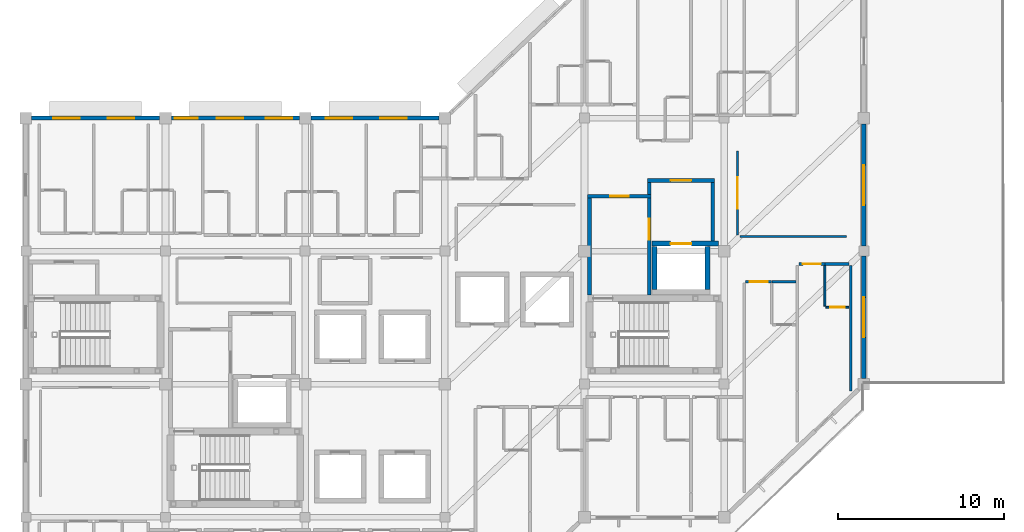
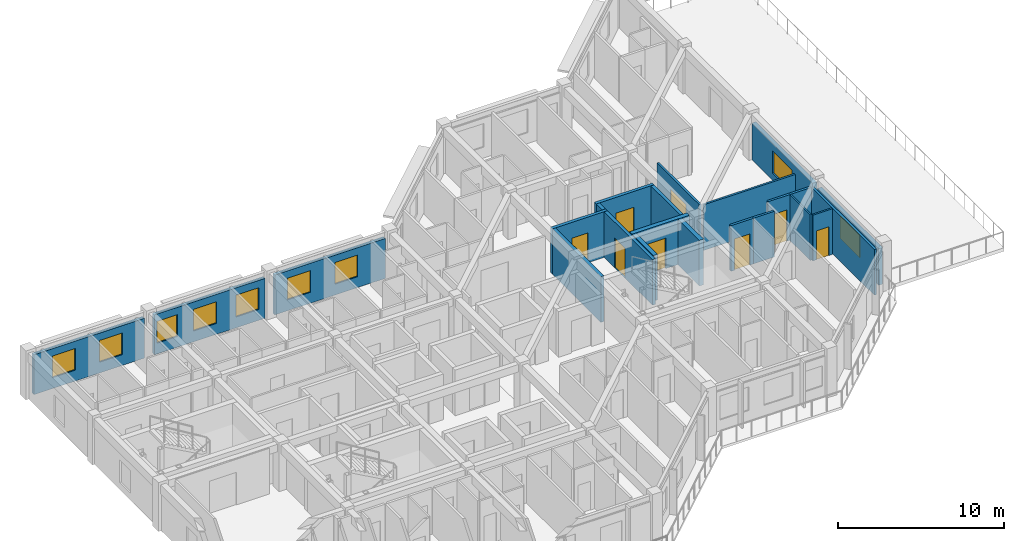
# One storey, part 10 of 15: 23 walls, 9 windows, 8 doors, 17 openings.
"""IFC4 building model written with IfcOpenShell, lengths in metres."""

from ifc_helpers import new_model, si_unit, direction, frame, frame_2d, origin, place, context, subcontext, project, spatial, rectangle, extrude, material, layer, layer_set, type_object, element, fill, save


model = new_model("IFC4")

# Units and contexts
model_context = context("Model", 3, precision=1e-05, world=origin(), true_north=direction((0.0, 1.0)))
body_context = subcontext(model_context, "Body", "Model", "MODEL_VIEW")
ifc_project = project(units=[si_unit("LENGTHUNIT", "METRE"), si_unit("AREAUNIT", "SQUARE_METRE"), si_unit("VOLUMEUNIT", "CUBIC_METRE"), si_unit("PLANEANGLEUNIT", "RADIAN"), si_unit("MASSUNIT", "GRAM", prefix="KILO")], contexts=[model_context])

# Site, building, storey
site_placement = place(None, origin())
site = spatial("IfcSite", under=ifc_project, at=site_placement, CompositionType="ELEMENT")
building_placement = place(site_placement, origin())
building = spatial("IfcBuilding", under=site, at=building_placement, Name="Naruveol Harbour Congress Hotel", CompositionType="ELEMENT")
storey_placement = place(building_placement, frame((0.0, 0.0, 36.0)))
storey = spatial("IfcBuildingStorey", under=building, at=storey_placement, Name="L08", CompositionType="ELEMENT", Elevation=36.0)

# Wall, opening, door
ifc_material_1 = material(Name="Acoustic Double Stud Gypsum", Category="gypsum")
ifc_layer_1 = layer(ifc_material_1, 0.139892578125)
ifc_layer_set_1 = layer_set([ifc_layer_1], Name="Acoustic Double Stud Gypsum")
wall_type_1 = type_object("IfcWallType", Name="ACOUSTIC MEETING PARTITION WALL 140", PredefinedType="PARTITIONING", material=ifc_layer_set_1)
wall_1_placement = place(storey_placement, frame((160.39990234375, 24.9599609375, 0.0), z_axis=(0.0, 0.0, 1.0), x_axis=(0.0, 1.0, 0.0)))
wall_1 = element("IfcWall", 1, at=wall_1_placement, inside=storey, type_object=wall_type_1, Name="Garden Terrace Salon west entry wall PW-140", PredefinedType="PARTITIONING", context=body_context, shape_type="SweptSolid", body=[
    extrude(rectangle(XDim=5.080078125, YDim=0.139892578125, at=frame_2d((2.5400390625, 0.0))), origin(), (0.0, 0.0, 1.0), 3.364990234375),
])
opening_1_placement = place(wall_1_placement, frame((1.590087890625, 0.0, 0.0)))
opening_1 = element("IfcOpeningElement", 2, at=opening_1_placement, cuts=wall_1, Name="Opening ID-LG-123", PredefinedType="OPENING", context=body_context, shape_type="SweptSolid", body=[
    extrude(rectangle(XDim=1.89990234375, YDim=2.39990234375, at=frame_2d((0.949951171875, 1.199951171875))), frame((0.0, 0.079833984375, 0.0), z_axis=(0.0, -1.0, 0.0), x_axis=(1.0, 0.0, 0.0)), (0.0, 0.0, 1.0), 0.159912109375),
])
ifc_material_2 = material(Name="Timber & Steel Acoustic Leaf", Category="steel")
door_type_1 = type_object("IfcDoorType", Name="RESTAURANT AND LOUNGE GLAZED DOOR 1900X2400", OperationType="DOUBLE_DOOR_SINGLE_SWING", PredefinedType="DOOR", material=ifc_material_2)
door_1_placement = place(opening_1_placement, origin())
door_1 = element("IfcDoor", 3, at=door_1_placement, inside=storey, type_object=door_type_1, Name="Garden Terrace Salon Entrance Door", OperationType="DOUBLE_DOOR_SINGLE_SWING", OverallHeight=2.39990234375, OverallWidth=1.89990234375, PredefinedType="DOOR", context=body_context, shape_type="SweptSolid", body=[
    extrude(rectangle(XDim=1.89990234375, YDim=2.39990234375, at=frame_2d((0.949951171875, 1.199951171875))), frame((0.0, 0.02490234375, 0.0), z_axis=(0.0, -1.0, 0.0), x_axis=(1.0, 0.0, 0.0)), (0.0, 0.0, 1.0), 0.050048828125),
])
fill(opening_1, door_1)

# Wall
wall_2_placement = place(storey_placement, frame((160.5400390625, 24.8798828125, 0.0), z_axis=(0.0, 0.0, 1.0), x_axis=(1.0, 0.0, 0.0)))
element("IfcWall", 4, at=wall_2_placement, inside=storey, type_object=wall_type_1, Name="Garden Terrace Salon south partition PW-140", PredefinedType="PARTITIONING", context=body_context, shape_type="SweptSolid", body=[
    extrude(rectangle(XDim=6.409912109375, YDim=0.139892578125, at=frame_2d((3.205078125, 0.0))), origin(), (0.0, 0.0, 1.0), 3.364990234375),
])

# Wall, opening, window
ifc_material_3 = material(Name="Precast concrete C40/50", Category="concrete")
ifc_layer_2 = layer(ifc_material_3, 0.280029296875)
ifc_layer_set_2 = layer_set([ifc_layer_2], Name="Precast concrete C40/50")
wall_type_2 = type_object("IfcWallType", Name="ARCHITECTURAL PRECAST FACADE WALL 280", PredefinedType="SOLIDWALL", material=ifc_layer_set_2)
wall_3_placement = place(storey_placement, frame((168.0, 31.64990234375, 0.0), z_axis=(0.0, 0.0, 1.0), x_axis=(0.0, -1.0, 0.0)))
wall_3 = element("IfcWall", 5, at=wall_3_placement, inside=storey, type_object=wall_type_2, Name="Hotel east gable wall L08 EW-280", PredefinedType="SOLIDWALL", context=body_context, shape_type="SweptSolid", body=[
    extrude(rectangle(XDim=7.349853515625, YDim=0.280029296875, at=frame_2d((3.6748046875, 0.0))), origin(), (0.0, 0.0, 1.0), 2.699951171875),
])
opening_2_placement = place(wall_3_placement, frame((2.47509765625, 0.0, 0.5)))
opening_2 = element("IfcOpeningElement", 6, at=opening_2_placement, cuts=wall_3, Name="Opening W-07", PredefinedType="OPENING", context=body_context, shape_type="SweptSolid", body=[
    extrude(rectangle(XDim=2.39990234375, YDim=1.64990234375, at=frame_2d((1.199951171875, 0.824951171875))), frame((0.0, 0.14990234375, 0.0), z_axis=(0.0, -1.0, 0.0), x_axis=(1.0, 0.0, 0.0)), (0.0, 0.0, 1.0), 0.300048828125),
])
ifc_material_4 = material(Name="Low-E Triple Glazing in Thermal Aluminium", Category="aluminium")
window_type_1 = type_object("IfcWindowType", Name="CORNER SUITE WINDOW 2400X1650", PartitioningType="DOUBLE_PANEL_VERTICAL", PredefinedType="WINDOW", material=ifc_material_4)
window_1_placement = place(opening_2_placement, origin())
window_1 = element("IfcWindow", 7, at=window_1_placement, inside=storey, type_object=window_type_1, Name="Window W-07 #441", OverallHeight=1.64990234375, OverallWidth=2.39990234375, PartitioningType="DOUBLE_PANEL_VERTICAL", PredefinedType="WINDOW", context=body_context, shape_type="SweptSolid", body=[
    extrude(rectangle(XDim=2.39990234375, YDim=1.64990234375, at=frame_2d((1.199951171875, 0.824951171875))), frame((0.0, 0.030029296875, 0.0), z_axis=(0.0, -1.0, 0.0), x_axis=(1.0, 0.0, 0.0)), (0.0, 0.0, 1.0), 0.06005859375),
])
fill(opening_2, window_1)

wall_4_placement = place(storey_placement, frame((168.0, 23.699951171875, 0.0), z_axis=(0.0, 0.0, 1.0), x_axis=(0.0, -1.0, 0.0)))
wall_4 = element("IfcWall", 8, at=wall_4_placement, inside=storey, type_object=wall_type_2, Name="Hotel east gable wall L08 EW-280", PredefinedType="SOLIDWALL", context=body_context, shape_type="SweptSolid", body=[
    extrude(rectangle(XDim=7.349853515625, YDim=0.280029296875, at=frame_2d((3.6748046875, 0.0))), origin(), (0.0, 0.0, 1.0), 2.699951171875),
])
opening_3_placement = place(wall_4_placement, frame((2.47509765625, 0.0, 0.5)))
opening_3 = element("IfcOpeningElement", 9, at=opening_3_placement, cuts=wall_4, Name="Opening W-07", PredefinedType="OPENING", context=body_context, shape_type="SweptSolid", body=[
    extrude(rectangle(XDim=2.39990234375, YDim=1.64990234375, at=frame_2d((1.199951171875, 0.824951171875))), frame((0.0, 0.14990234375, 0.0), z_axis=(0.0, -1.0, 0.0), x_axis=(1.0, 0.0, 0.0)), (0.0, 0.0, 1.0), 0.300048828125),
])
window_2_placement = place(opening_3_placement, origin())
window_2 = element("IfcWindow", 10, at=window_2_placement, inside=storey, type_object=window_type_1, Name="Window W-07 #442", OverallHeight=1.64990234375, OverallWidth=2.39990234375, PartitioningType="DOUBLE_PANEL_VERTICAL", PredefinedType="WINDOW", context=body_context, shape_type="SweptSolid", body=[
    extrude(rectangle(XDim=2.39990234375, YDim=1.64990234375, at=frame_2d((1.199951171875, 0.824951171875))), frame((0.0, 0.030029296875, 0.0), z_axis=(0.0, -1.0, 0.0), x_axis=(1.0, 0.0, 0.0)), (0.0, 0.0, 1.0), 0.06005859375),
])
fill(opening_3, window_2)

# Wall
ifc_material_5 = material(Name="Moisture-Resistant Gypsum Partition", Category="gypsum")
ifc_layer_3 = layer(ifc_material_5, 0.114990234375)
ifc_layer_set_3 = layer_set([ifc_layer_3], Name="Moisture-Resistant Gypsum Partition")
wall_type_3 = type_object("IfcWallType", Name="BATHROOM MOISTURE PARTITION WALL 115", PredefinedType="PARTITIONING", material=ifc_layer_set_3)
wall_5_placement = place(storey_placement, frame((165.64990234375, 20.68994140625, 0.0), z_axis=(0.0, 0.0, 1.0), x_axis=(0.0, 1.0, 0.0)))
element("IfcWall", 11, at=wall_5_placement, inside=storey, type_object=wall_type_3, Name="Bathroom west wall 0935 PW-115", PredefinedType="PARTITIONING", context=body_context, shape_type="SweptSolid", body=[
    extrude(rectangle(XDim=2.449951171875, YDim=0.114990234375, at=frame_2d((1.22509765625, 0.0))), origin(), (0.0, 0.0, 1.0), 3.364990234375),
])

# Wall, opening, door
wall_6_placement = place(storey_placement, frame((165.7099609375, 20.6298828125, 0.0), z_axis=(0.0, 0.0, 1.0), x_axis=(1.0, 0.0, 0.0)))
wall_6 = element("IfcWall", 12, at=wall_6_placement, inside=storey, type_object=wall_type_3, Name="Bathroom south wall 0935 PW-115", PredefinedType="PARTITIONING", context=body_context, shape_type="SweptSolid", body=[
    extrude(rectangle(XDim=1.39013671875, YDim=0.114990234375, at=frame_2d((0.695068359375, 0.0))), origin(), (0.0, 0.0, 1.0), 3.364990234375),
])
opening_4_placement = place(wall_6_placement, frame((0.264892578125, 0.0, 0.0)))
opening_4 = element("IfcOpeningElement", 13, at=opening_4_placement, cuts=wall_6, Name="Opening BD-RM0935", PredefinedType="OPENING", context=body_context, shape_type="SweptSolid", body=[
    extrude(rectangle(XDim=0.860107421875, YDim=2.1201171875, at=frame_2d((0.43017578125, 1.06005859375))), frame((0.0, 0.0673828125, 0.0), z_axis=(0.0, -1.0, 0.0), x_axis=(1.0, 0.0, 0.0)), (0.0, 0.0, 1.0), 0.135009765625),
])
ifc_material_6 = material(Name="Timber & Steel Acoustic Leaf", Category="steel")
door_type_2 = type_object("IfcDoorType", Name="GUEST BATHROOM DOOR 860X2120", OperationType="NOTDEFINED", PredefinedType="DOOR", material=ifc_material_6)
door_2_placement = place(opening_4_placement, origin())
door_2 = element("IfcDoor", 14, at=door_2_placement, inside=storey, type_object=door_type_2, Name="Bathroom Door 0935", OperationType="SINGLE_SWING_RIGHT", OverallHeight=2.1201171875, OverallWidth=0.860107421875, PredefinedType="DOOR", context=body_context, shape_type="SweptSolid", body=[
    extrude(rectangle(XDim=0.860107421875, YDim=2.1201171875, at=frame_2d((0.43017578125, 1.06005859375))), frame((0.0, 0.02490234375, 0.0), z_axis=(0.0, -1.0, 0.0), x_axis=(1.0, 0.0, 0.0)), (0.0, 0.0, 1.0), 0.050048828125),
])
fill(opening_4, door_2)

# Wall
ifc_material_7 = material(Name="Concrete C40/50", Category="concrete")
ifc_layer_4 = layer(ifc_material_7, 0.219970703125)
ifc_layer_set_4 = layer_set([ifc_layer_4], Name="Concrete C40/50")
wall_type_4 = type_object("IfcWallType", Name="FIRE COMPARTMENT AND LOBBY WALL 220 EI120", PredefinedType="PARTITIONING", material=ifc_layer_set_4)
wall_7_placement = place(storey_placement, frame((151.5, 21.364990234375, 0.0), z_axis=(0.0, 0.0, 1.0), x_axis=(0.0, 1.0, 0.0)))
element("IfcWall", 15, at=wall_7_placement, inside=storey, type_object=wall_type_4, Name="Smoke vestibule ST2 west wall FW-220", PredefinedType="PARTITIONING", context=body_context, shape_type="SweptSolid", body=[
    extrude(rectangle(XDim=5.820068359375, YDim=0.219970703125, at=frame_2d((2.91015625, 0.0))), origin(), (0.0, 0.0, 1.0), 3.364990234375),
])

# Wall, opening, door
wall_8_placement = place(storey_placement, frame((151.389892578125, 27.300048828125, 0.0), z_axis=(0.0, 0.0, 1.0), x_axis=(1.0, 0.0, 0.0)))
wall_8 = element("IfcWall", 16, at=wall_8_placement, inside=storey, type_object=wall_type_4, Name="Smoke vestibule ST2 north wall FW-220", PredefinedType="PARTITIONING", context=body_context, shape_type="SweptSolid", body=[
    extrude(rectangle(XDim=3.820068359375, YDim=0.219970703125, at=frame_2d((1.91015625, 0.0))), origin(), (0.0, 0.0, 1.0), 3.364990234375),
])
opening_5_placement = place(wall_8_placement, frame((1.35009765625, 0.0, 0.0)))
opening_5 = element("IfcOpeningElement", 17, at=opening_5_placement, cuts=wall_8, Name="Opening FD-ST2-V-L08", PredefinedType="OPENING", context=body_context, shape_type="SweptSolid", body=[
    extrude(rectangle(XDim=1.1201171875, YDim=2.199951171875, at=frame_2d((0.56005859375, 1.10009765625))), frame((0.0, 0.119873046875, 0.0), z_axis=(0.0, -1.0, 0.0), x_axis=(1.0, 0.0, 0.0)), (0.0, 0.0, 1.0), 0.239990234375),
])
ifc_material_8 = material(Name="Timber & Steel Acoustic Leaf", Category="steel")
door_type_3 = type_object("IfcDoorType", Name="VESTIBULE SMOKE CONTROL FIRE DOOR 1120X2200", OperationType="NOTDEFINED", PredefinedType="DOOR", material=ifc_material_8)
door_3_placement = place(opening_5_placement, origin())
door_3 = element("IfcDoor", 18, at=door_3_placement, inside=storey, type_object=door_type_3, Name="Smoke Vestibule Entry Door ST2 L08", OperationType="SINGLE_SWING_LEFT", OverallHeight=2.199951171875, OverallWidth=1.1201171875, PredefinedType="DOOR", context=body_context, shape_type="SweptSolid", body=[
    extrude(rectangle(XDim=1.1201171875, YDim=2.199951171875, at=frame_2d((0.56005859375, 1.10009765625))), frame((0.0, 0.02490234375, 0.0), z_axis=(0.0, -1.0, 0.0), x_axis=(1.0, 0.0, 0.0)), (0.0, 0.0, 1.0), 0.050048828125),
])
fill(opening_5, door_3)

wall_9_placement = place(storey_placement, frame((155.10009765625, 21.364990234375, 0.0), z_axis=(0.0, 0.0, 1.0), x_axis=(0.0, 1.0, 0.0)))
wall_9 = element("IfcWall", 19, at=wall_9_placement, inside=storey, type_object=wall_type_4, Name="Smoke vestibule ST2 east wall FW-220", PredefinedType="PARTITIONING", context=body_context, shape_type="SweptSolid", body=[
    extrude(rectangle(XDim=5.820068359375, YDim=0.219970703125, at=frame_2d((2.91015625, 0.0))), origin(), (0.0, 0.0, 1.0), 3.364990234375),
])
opening_6_placement = place(wall_9_placement, frame((3.3349609375, 0.0, 0.0)))
opening_6 = element("IfcOpeningElement", 20, at=opening_6_placement, cuts=wall_9, Name="Opening FD-FFL-ST2-L08", PredefinedType="OPENING", context=body_context, shape_type="SweptSolid", body=[
    extrude(rectangle(XDim=1.239990234375, YDim=2.199951171875, at=frame_2d((0.6201171875, 1.10009765625))), frame((0.0, 0.119873046875, 0.0), z_axis=(0.0, -1.0, 0.0), x_axis=(1.0, 0.0, 0.0)), (0.0, 0.0, 1.0), 0.239990234375),
])
ifc_material_9 = material(Name="Timber & Steel Acoustic Leaf", Category="steel")
door_type_4 = type_object("IfcDoorType", Name="FIREFIGHTING LOBBY FIRE DOOR 1240X2200", OperationType="NOTDEFINED", PredefinedType="DOOR", material=ifc_material_9)
door_4_placement = place(opening_6_placement, origin())
door_4 = element("IfcDoor", 21, at=door_4_placement, inside=storey, type_object=door_type_4, Name="Firefighting Lobby Vestibule Door ST2 L08", OperationType="SINGLE_SWING_RIGHT", OverallHeight=2.199951171875, OverallWidth=1.239990234375, PredefinedType="DOOR", context=body_context, shape_type="SweptSolid", body=[
    extrude(rectangle(XDim=1.239990234375, YDim=2.199951171875, at=frame_2d((0.6201171875, 1.10009765625))), frame((0.0, 0.02490234375, 0.0), z_axis=(0.0, -1.0, 0.0), x_axis=(1.0, 0.0, 0.0)), (0.0, 0.0, 1.0), 0.050048828125),
])
fill(opening_6, door_4)

# Walls
wall_10_placement = place(storey_placement, frame((155.10009765625, 27.4150390625, 0.0), z_axis=(0.0, 0.0, 1.0), x_axis=(0.0, 1.0, 0.0)))
element("IfcWall", 22, at=wall_10_placement, inside=storey, type_object=wall_type_4, Name="Firefighting lift lobby ST2 upper west wall FW-220", PredefinedType="PARTITIONING", context=body_context, shape_type="SweptSolid", body=[
    extrude(rectangle(XDim=0.719970703125, YDim=0.219970703125, at=frame_2d((0.35986328125, 0.0))), origin(), (0.0, 0.0, 1.0), 3.364990234375),
])
wall_11_placement = place(storey_placement, frame((158.89990234375, 24.60498046875, 0.0), z_axis=(0.0, 0.0, 1.0), x_axis=(0.0, 1.0, 0.0)))
element("IfcWall", 23, at=wall_11_placement, inside=storey, type_object=wall_type_4, Name="Firefighting lift lobby ST2 east wall FW-220", PredefinedType="PARTITIONING", context=body_context, shape_type="SweptSolid", body=[
    extrude(rectangle(XDim=3.530029296875, YDim=0.219970703125, at=frame_2d((1.76513671875, 0.0))), origin(), (0.0, 0.0, 1.0), 3.364990234375),
])

# Wall, opening, door
wall_12_placement = place(storey_placement, frame((154.989990234375, 28.25, 0.0), z_axis=(0.0, 0.0, 1.0), x_axis=(1.0, 0.0, 0.0)))
wall_12 = element("IfcWall", 24, at=wall_12_placement, inside=storey, type_object=wall_type_4, Name="Firefighting lift lobby ST2 north wall FW-220", PredefinedType="PARTITIONING", context=body_context, shape_type="SweptSolid", body=[
    extrude(rectangle(XDim=4.02001953125, YDim=0.219970703125, at=frame_2d((2.010009765625, 0.0))), origin(), (0.0, 0.0, 1.0), 3.364990234375),
])
opening_7_placement = place(wall_12_placement, frame((1.389892578125, 0.0, 0.0)))
opening_7 = element("IfcOpeningElement", 25, at=opening_7_placement, cuts=wall_12, Name="Opening FD-FFC-ST2-L08", PredefinedType="OPENING", context=body_context, shape_type="SweptSolid", body=[
    extrude(rectangle(XDim=1.239990234375, YDim=2.199951171875, at=frame_2d((0.6201171875, 1.10009765625))), frame((0.0, 0.119873046875, 0.0), z_axis=(0.0, -1.0, 0.0), x_axis=(1.0, 0.0, 0.0)), (0.0, 0.0, 1.0), 0.239990234375),
])
door_5_placement = place(opening_7_placement, origin())
door_5 = element("IfcDoor", 26, at=door_5_placement, inside=storey, type_object=door_type_4, Name="Firefighting Lobby Corridor Door ST2 L08", OperationType="SINGLE_SWING_LEFT", OverallHeight=2.199951171875, OverallWidth=1.239990234375, PredefinedType="DOOR", context=body_context, shape_type="SweptSolid", body=[
    extrude(rectangle(XDim=1.239990234375, YDim=2.199951171875, at=frame_2d((0.6201171875, 1.10009765625))), frame((0.0, 0.02490234375, 0.0), z_axis=(0.0, -1.0, 0.0), x_axis=(1.0, 0.0, 0.0)), (0.0, 0.0, 1.0), 0.050048828125),
])
fill(opening_7, door_5)

ifc_material_10 = material(Name="Autoclaved Aerated Concrete Block", Category="concrete")
ifc_layer_5 = layer(ifc_material_10, 0.159912109375)
ifc_layer_set_5 = layer_set([ifc_layer_5], Name="Autoclaved Aerated Concrete Block")
wall_type_5 = type_object("IfcWallType", Name="HOTEL PARTY AND CORRIDOR WALL 160 EI60", PredefinedType="PARTITIONING", material=ifc_layer_set_5)
wall_13_placement = place(storey_placement, frame((160.889892578125, 22.169921875, 0.0), z_axis=(0.0, 0.0, 1.0), x_axis=(1.0, 0.0, 0.0)))
wall_13 = element("IfcWall", 27, at=wall_13_placement, inside=storey, type_object=wall_type_5, Name="Corridor entry wall 0934 PW-160", PredefinedType="PARTITIONING", context=body_context, shape_type="SweptSolid", body=[
    extrude(rectangle(XDim=1.56005859375, YDim=0.159912109375, at=frame_2d((0.780029296875, 0.0))), origin(), (0.0, 0.0, 1.0), 3.364990234375),
])
opening_8_placement = place(wall_13_placement, frame((0.239990234375, 0.0, 0.0)))
opening_8 = element("IfcOpeningElement", 28, at=opening_8_placement, cuts=wall_13, Name="Opening FD-RM0934", PredefinedType="OPENING", context=body_context, shape_type="SweptSolid", body=[
    extrude(rectangle(XDim=1.080078125, YDim=2.300048828125, at=frame_2d((0.5400390625, 1.14990234375))), frame((0.0, 0.08984375, 0.0), z_axis=(0.0, -1.0, 0.0), x_axis=(1.0, 0.0, 0.0)), (0.0, 0.0, 1.0), 0.179931640625),
])
ifc_material_11 = material(Name="Timber & Steel Acoustic Leaf", Category="steel")
door_type_5 = type_object("IfcDoorType", Name="SUITE ENTRANCE FIRE DOOR 1080X2300", OperationType="NOTDEFINED", PredefinedType="DOOR", material=ifc_material_11)
door_6_placement = place(opening_8_placement, origin())
door_6 = element("IfcDoor", 29, at=door_6_placement, inside=storey, type_object=door_type_5, Name="Hotel Room Door 0934", OperationType="SINGLE_SWING_LEFT", OverallHeight=2.300048828125, OverallWidth=1.080078125, PredefinedType="DOOR", context=body_context, shape_type="SweptSolid", body=[
    extrude(rectangle(XDim=1.080078125, YDim=2.300048828125, at=frame_2d((0.5400390625, 1.14990234375))), frame((0.0, 0.02490234375, 0.0), z_axis=(0.0, -1.0, 0.0), x_axis=(1.0, 0.0, 0.0)), (0.0, 0.0, 1.0), 0.050048828125),
])
fill(opening_8, door_6)

# Wall
wall_14_placement = place(storey_placement, frame((162.4599609375, 22.169921875, 0.0), z_axis=(0.0, 0.0, 1.0), x_axis=(1.0, 0.0, 0.0)))
element("IfcWall", 30, at=wall_14_placement, inside=storey, type_object=wall_type_5, Name="Corridor wall 0934B PW-160", PredefinedType="PARTITIONING", context=body_context, shape_type="SweptSolid", body=[
    extrude(rectangle(XDim=1.449951171875, YDim=0.159912109375, at=frame_2d((0.72509765625, 0.0))), origin(), (0.0, 0.0, 1.0), 3.364990234375),
])

# Wall, opening, door
wall_15_placement = place(storey_placement, frame((164.090087890625, 23.22998046875, 0.0), z_axis=(0.0, 0.0, 1.0), x_axis=(1.0, 0.0, 0.0)))
wall_15 = element("IfcWall", 31, at=wall_15_placement, inside=storey, type_object=wall_type_5, Name="Corridor entry wall 0935 PW-160", PredefinedType="PARTITIONING", context=body_context, shape_type="SweptSolid", body=[
    extrude(rectangle(XDim=1.559814453125, YDim=0.159912109375, at=frame_2d((0.77978515625, 0.0))), origin(), (0.0, 0.0, 1.0), 3.364990234375),
])
opening_9_placement = place(wall_15_placement, frame((0.239990234375, 0.0, 0.0)))
opening_9 = element("IfcOpeningElement", 32, at=opening_9_placement, cuts=wall_15, Name="Opening FD-RM0935", PredefinedType="OPENING", context=body_context, shape_type="SweptSolid", body=[
    extrude(rectangle(XDim=1.080078125, YDim=2.300048828125, at=frame_2d((0.5400390625, 1.14990234375))), frame((0.0, 0.08984375, 0.0), z_axis=(0.0, -1.0, 0.0), x_axis=(1.0, 0.0, 0.0)), (0.0, 0.0, 1.0), 0.179931640625),
])
door_7_placement = place(opening_9_placement, origin())
door_7 = element("IfcDoor", 33, at=door_7_placement, inside=storey, type_object=door_type_5, Name="Hotel Room Door 0935", OperationType="SINGLE_SWING_LEFT", OverallHeight=2.300048828125, OverallWidth=1.080078125, PredefinedType="DOOR", context=body_context, shape_type="SweptSolid", body=[
    extrude(rectangle(XDim=1.080078125, YDim=2.300048828125, at=frame_2d((0.5400390625, 1.14990234375))), frame((0.0, 0.02490234375, 0.0), z_axis=(0.0, -1.0, 0.0), x_axis=(1.0, 0.0, 0.0)), (0.0, 0.0, 1.0), 0.050048828125),
])
fill(opening_9, door_7)

# Walls
wall_16_placement = place(storey_placement, frame((165.659912109375, 23.22998046875, 0.0), z_axis=(0.0, 0.0, 1.0), x_axis=(1.0, 0.0, 0.0)))
element("IfcWall", 34, at=wall_16_placement, inside=storey, type_object=wall_type_5, Name="Corridor wall 0935B PW-160", PredefinedType="PARTITIONING", context=body_context, shape_type="SweptSolid", body=[
    extrude(rectangle(XDim=1.4501953125, YDim=0.159912109375, at=frame_2d((0.72509765625, 0.0))), origin(), (0.0, 0.0, 1.0), 3.364990234375),
])
wall_17_placement = place(storey_placement, frame((167.199951171875, 15.580078125, 0.0), z_axis=(0.0, 0.0, 1.0), x_axis=(0.0, 1.0, 0.0)))
element("IfcWall", 35, at=wall_17_placement, inside=storey, type_object=wall_type_5, Name="Hotel end party wall 0935 PW-160", PredefinedType="PARTITIONING", context=body_context, shape_type="SweptSolid", body=[
    extrude(rectangle(XDim=7.559814453125, YDim=0.159912109375, at=frame_2d((3.77978515625, 0.0))), origin(), (0.0, 0.0, 1.0), 3.364990234375),
])

# Wall, openings, windows
ifc_material_12 = material(Name="Concrete C40/50", Category="concrete")
ifc_layer_6 = layer(ifc_material_12, 0.239990234375)
ifc_layer_set_6 = layer_set([ifc_layer_6], Name="Concrete C40/50")
wall_type_6 = type_object("IfcWallType", Name="INSULATED HOTEL SPANDREL WALL 240", PredefinedType="SOLIDWALL", material=ifc_layer_set_6)
wall_18_placement = place(storey_placement, frame((117.949951171875, 32.0, 0.0), z_axis=(0.0, 0.0, 1.0), x_axis=(1.0, 0.0, 0.0)))
wall_18 = element("IfcWall", 36, at=wall_18_placement, inside=storey, type_object=wall_type_6, Name="Hotel north bay wall L08 EW-240", PredefinedType="SOLIDWALL", context=body_context, shape_type="SweptSolid", body=[
    extrude(rectangle(XDim=7.699951171875, YDim=0.239990234375, at=frame_2d((3.85009765625, 0.0))), origin(), (0.0, 0.0, 1.0), 2.93994140625),
])
opening_10_placement = place(wall_18_placement, frame((1.2900390625, 0.0, 0.800048828125)))
opening_10 = element("IfcOpeningElement", 37, at=opening_10_placement, cuts=wall_18, Name="Opening W-03", PredefinedType="OPENING", context=body_context, shape_type="SweptSolid", body=[
    extrude(rectangle(XDim=1.60009765625, YDim=1.60009765625, at=frame_2d((0.800048828125, 0.800048828125))), frame((0.0, 0.1298828125, 0.0), z_axis=(0.0, -1.0, 0.0), x_axis=(1.0, 0.0, 0.0)), (0.0, 0.0, 1.0), 0.260009765625),
])
opening_11_placement = place(wall_18_placement, frame((4.570068359375, 0.0, 0.800048828125)))
opening_11 = element("IfcOpeningElement", 38, at=opening_11_placement, cuts=wall_18, Name="Opening W-03", PredefinedType="OPENING", context=body_context, shape_type="SweptSolid", body=[
    extrude(rectangle(XDim=1.60009765625, YDim=1.60009765625, at=frame_2d((0.800048828125, 0.800048828125))), frame((0.0, 0.1298828125, 0.0), z_axis=(0.0, -1.0, 0.0), x_axis=(1.0, 0.0, 0.0)), (0.0, 0.0, 1.0), 0.260009765625),
])
ifc_material_13 = material(Name="Low-E Triple Glazing in Thermal Aluminium", Category="aluminium")
window_type_2 = type_object("IfcWindowType", Name="DELUXE GUEST WINDOW 1600X1600", PartitioningType="SINGLE_PANEL", PredefinedType="WINDOW", material=ifc_material_13)
window_3_placement = place(opening_10_placement, origin())
window_3 = element("IfcWindow", 39, at=window_3_placement, inside=storey, type_object=window_type_2, Name="Window W-03 #416", OverallHeight=1.60009765625, OverallWidth=1.60009765625, PartitioningType="SINGLE_PANEL", PredefinedType="WINDOW", context=body_context, shape_type="SweptSolid", body=[
    extrude(rectangle(XDim=1.60009765625, YDim=1.60009765625, at=frame_2d((0.800048828125, 0.800048828125))), frame((0.0, 0.030029296875, 0.0), z_axis=(0.0, -1.0, 0.0), x_axis=(1.0, 0.0, 0.0)), (0.0, 0.0, 1.0), 0.06005859375),
])
fill(opening_10, window_3)
window_4_placement = place(opening_11_placement, origin())
window_4 = element("IfcWindow", 40, at=window_4_placement, inside=storey, type_object=window_type_2, Name="Window W-03 #417", OverallHeight=1.60009765625, OverallWidth=1.60009765625, PartitioningType="SINGLE_PANEL", PredefinedType="WINDOW", context=body_context, shape_type="SweptSolid", body=[
    extrude(rectangle(XDim=1.60009765625, YDim=1.60009765625, at=frame_2d((0.800048828125, 0.800048828125))), frame((0.0, 0.030029296875, 0.0), z_axis=(0.0, -1.0, 0.0), x_axis=(1.0, 0.0, 0.0)), (0.0, 0.0, 1.0), 0.06005859375),
])
fill(opening_11, window_4)

wall_19_placement = place(storey_placement, frame((126.35009765625, 32.0, 0.0), z_axis=(0.0, 0.0, 1.0), x_axis=(1.0, 0.0, 0.0)))
wall_19 = element("IfcWall", 41, at=wall_19_placement, inside=storey, type_object=wall_type_6, Name="Hotel north bay wall L08 EW-240", PredefinedType="SOLIDWALL", context=body_context, shape_type="SweptSolid", body=[
    extrude(rectangle(XDim=7.699951171875, YDim=0.239990234375, at=frame_2d((3.85009765625, 0.0))), origin(), (0.0, 0.0, 1.0), 2.93994140625),
])
opening_12_placement = place(wall_19_placement, frame((0.195068359375, 0.0, 0.800048828125)))
opening_12 = element("IfcOpeningElement", 42, at=opening_12_placement, cuts=wall_19, Name="Opening W-02", PredefinedType="OPENING", context=body_context, shape_type="SweptSolid", body=[
    extrude(rectangle(XDim=1.39990234375, YDim=1.60009765625, at=frame_2d((0.699951171875, 0.800048828125))), frame((0.0, 0.1298828125, 0.0), z_axis=(0.0, -1.0, 0.0), x_axis=(1.0, 0.0, 0.0)), (0.0, 0.0, 1.0), 0.260009765625),
])
opening_13_placement = place(wall_19_placement, frame((2.72998046875, 0.0, 0.800048828125)))
opening_13 = element("IfcOpeningElement", 43, at=opening_13_placement, cuts=wall_19, Name="Opening W-03", PredefinedType="OPENING", context=body_context, shape_type="SweptSolid", body=[
    extrude(rectangle(XDim=1.60009765625, YDim=1.60009765625, at=frame_2d((0.800048828125, 0.800048828125))), frame((0.0, 0.1298828125, 0.0), z_axis=(0.0, -1.0, 0.0), x_axis=(1.0, 0.0, 0.0)), (0.0, 0.0, 1.0), 0.260009765625),
])
opening_14_placement = place(wall_19_placement, frame((5.68505859375, 0.0, 0.800048828125)))
opening_14 = element("IfcOpeningElement", 44, at=opening_14_placement, cuts=wall_19, Name="Opening W-03", PredefinedType="OPENING", context=body_context, shape_type="SweptSolid", body=[
    extrude(rectangle(XDim=1.60009765625, YDim=1.60009765625, at=frame_2d((0.800048828125, 0.800048828125))), frame((0.0, 0.1298828125, 0.0), z_axis=(0.0, -1.0, 0.0), x_axis=(1.0, 0.0, 0.0)), (0.0, 0.0, 1.0), 0.260009765625),
])
window_5_placement = place(opening_13_placement, origin())
window_5 = element("IfcWindow", 45, at=window_5_placement, inside=storey, type_object=window_type_2, Name="Window W-03 #421", OverallHeight=1.60009765625, OverallWidth=1.60009765625, PartitioningType="SINGLE_PANEL", PredefinedType="WINDOW", context=body_context, shape_type="SweptSolid", body=[
    extrude(rectangle(XDim=1.60009765625, YDim=1.60009765625, at=frame_2d((0.800048828125, 0.800048828125))), frame((0.0, 0.030029296875, 0.0), z_axis=(0.0, -1.0, 0.0), x_axis=(1.0, 0.0, 0.0)), (0.0, 0.0, 1.0), 0.06005859375),
])
fill(opening_13, window_5)
window_6_placement = place(opening_14_placement, origin())
window_6 = element("IfcWindow", 46, at=window_6_placement, inside=storey, type_object=window_type_2, Name="Window W-03 #422", OverallHeight=1.60009765625, OverallWidth=1.60009765625, PartitioningType="SINGLE_PANEL", PredefinedType="WINDOW", context=body_context, shape_type="SweptSolid", body=[
    extrude(rectangle(XDim=1.60009765625, YDim=1.60009765625, at=frame_2d((0.800048828125, 0.800048828125))), frame((0.0, 0.030029296875, 0.0), z_axis=(0.0, -1.0, 0.0), x_axis=(1.0, 0.0, 0.0)), (0.0, 0.0, 1.0), 0.06005859375),
])
fill(opening_14, window_6)
ifc_material_14 = material(Name="Low-E Triple Glazing in Thermal Aluminium", Category="aluminium")
window_type_3 = type_object("IfcWindowType", Name="GUEST ROOM HARBOUR WINDOW 1400X1600", PartitioningType="SINGLE_PANEL", PredefinedType="WINDOW", material=ifc_material_14)
window_7_placement = place(opening_12_placement, origin())
window_7 = element("IfcWindow", 47, at=window_7_placement, inside=storey, type_object=window_type_3, Name="Window W-02 #420", OverallHeight=1.60009765625, OverallWidth=1.39990234375, PartitioningType="SINGLE_PANEL", PredefinedType="WINDOW", context=body_context, shape_type="SweptSolid", body=[
    extrude(rectangle(XDim=1.39990234375, YDim=1.60009765625, at=frame_2d((0.699951171875, 0.800048828125))), frame((0.0, 0.030029296875, 0.0), z_axis=(0.0, -1.0, 0.0), x_axis=(1.0, 0.0, 0.0)), (0.0, 0.0, 1.0), 0.06005859375),
])
fill(opening_12, window_7)

wall_20_placement = place(storey_placement, frame((134.75, 32.0, 0.0), z_axis=(0.0, 0.0, 1.0), x_axis=(1.0, 0.0, 0.0)))
wall_20 = element("IfcWall", 48, at=wall_20_placement, inside=storey, type_object=wall_type_6, Name="Hotel north bay wall L08 EW-240", PredefinedType="SOLIDWALL", context=body_context, shape_type="SweptSolid", body=[
    extrude(rectangle(XDim=7.699951171875, YDim=0.239990234375, at=frame_2d((3.85009765625, 0.0))), origin(), (0.0, 0.0, 1.0), 2.93994140625),
])
opening_15_placement = place(wall_20_placement, frame((0.889892578125, 0.0, 0.800048828125)))
opening_15 = element("IfcOpeningElement", 49, at=opening_15_placement, cuts=wall_20, Name="Opening W-03", PredefinedType="OPENING", context=body_context, shape_type="SweptSolid", body=[
    extrude(rectangle(XDim=1.60009765625, YDim=1.60009765625, at=frame_2d((0.800048828125, 0.800048828125))), frame((0.0, 0.1298828125, 0.0), z_axis=(0.0, -1.0, 0.0), x_axis=(1.0, 0.0, 0.0)), (0.0, 0.0, 1.0), 0.260009765625),
])
opening_16_placement = place(wall_20_placement, frame((4.169921875, 0.0, 0.800048828125)))
opening_16 = element("IfcOpeningElement", 50, at=opening_16_placement, cuts=wall_20, Name="Opening W-03", PredefinedType="OPENING", context=body_context, shape_type="SweptSolid", body=[
    extrude(rectangle(XDim=1.60009765625, YDim=1.60009765625, at=frame_2d((0.800048828125, 0.800048828125))), frame((0.0, 0.1298828125, 0.0), z_axis=(0.0, -1.0, 0.0), x_axis=(1.0, 0.0, 0.0)), (0.0, 0.0, 1.0), 0.260009765625),
])
window_8_placement = place(opening_15_placement, origin())
window_8 = element("IfcWindow", 51, at=window_8_placement, inside=storey, type_object=window_type_2, Name="Window W-03 #424", OverallHeight=1.60009765625, OverallWidth=1.60009765625, PartitioningType="SINGLE_PANEL", PredefinedType="WINDOW", context=body_context, shape_type="SweptSolid", body=[
    extrude(rectangle(XDim=1.60009765625, YDim=1.60009765625, at=frame_2d((0.800048828125, 0.800048828125))), frame((0.0, 0.030029296875, 0.0), z_axis=(0.0, -1.0, 0.0), x_axis=(1.0, 0.0, 0.0)), (0.0, 0.0, 1.0), 0.06005859375),
])
fill(opening_15, window_8)
window_9_placement = place(opening_16_placement, origin())
window_9 = element("IfcWindow", 52, at=window_9_placement, inside=storey, type_object=window_type_2, Name="Window W-03 #425", OverallHeight=1.60009765625, OverallWidth=1.60009765625, PartitioningType="SINGLE_PANEL", PredefinedType="WINDOW", context=body_context, shape_type="SweptSolid", body=[
    extrude(rectangle(XDim=1.60009765625, YDim=1.60009765625, at=frame_2d((0.800048828125, 0.800048828125))), frame((0.0, 0.030029296875, 0.0), z_axis=(0.0, -1.0, 0.0), x_axis=(1.0, 0.0, 0.0)), (0.0, 0.0, 1.0), 0.06005859375),
])
fill(opening_16, window_9)

# Wall
ifc_material_15 = material(Name="Concrete C50/60", Category="concrete")
ifc_layer_7 = layer(ifc_material_15, 0.300048828125)
ifc_layer_set_7 = layer_set([ifc_layer_7], Name="Concrete C50/60")
wall_type_7 = type_object("IfcWallType", Name="RC STAIR AND HOISTWAY SHEAR WALL 300 EI120", PredefinedType="SHEAR", material=ifc_layer_set_7)
wall_21_placement = place(storey_placement, frame((158.60009765625, 21.705078125, 0.0), z_axis=(0.0, 0.0, 1.0), x_axis=(0.0, 1.0, 0.0)))
element("IfcWall", 53, at=wall_21_placement, inside=storey, type_object=wall_type_7, Name="Hoistway east shear wall FL2 SW-300", PredefinedType="SHEAR", context=body_context, shape_type="SweptSolid", body=[
    extrude(rectangle(XDim=2.58984375, YDim=0.300048828125, at=frame_2d((1.294921875, 0.0))), origin(), (0.0, 0.0, 1.0), 3.364990234375),
])

# Wall, opening, door
wall_22_placement = place(storey_placement, frame((159.260009765625, 24.449951171875, 0.0), z_axis=(0.0, 0.0, 1.0), x_axis=(-1.0, 0.0, 0.0)))
wall_22 = element("IfcWall", 54, at=wall_22_placement, inside=storey, type_object=wall_type_7, Name="Hoistway north shear wall FL2 SW-300", PredefinedType="SHEAR", context=body_context, shape_type="SweptSolid", body=[
    extrude(rectangle(XDim=4.010009765625, YDim=0.300048828125, at=frame_2d((2.0048828125, 0.0))), origin(), (0.0, 0.0, 1.0), 3.364990234375),
])
opening_17_placement = place(wall_22_placement, frame((1.635009765625, 0.0, 0.0)))
opening_17 = element("IfcOpeningElement", 55, at=opening_17_placement, cuts=wall_22, Name="Opening LD-FL2-L08", PredefinedType="OPENING", context=body_context, shape_type="SweptSolid", body=[
    extrude(rectangle(XDim=1.25, YDim=2.25, at=frame_2d((0.625, 1.125))), frame((0.0, 0.159912109375, 0.0), z_axis=(0.0, -1.0, 0.0), x_axis=(1.0, 0.0, 0.0)), (0.0, 0.0, 1.0), 0.320068359375),
])
ifc_material_16 = material(Name="Stainless Steel Lift Door", Category="steel")
door_type_6 = type_object("IfcDoorType", Name="FIREFIGHTING LIFT LANDING DOOR 1250X2250", OperationType="DOUBLE_DOOR_SLIDING", PredefinedType="DOOR", material=ifc_material_16)
door_8_placement = place(opening_17_placement, origin())
door_8 = element("IfcDoor", 56, at=door_8_placement, inside=storey, type_object=door_type_6, Name="Elevator Landing Door FL2 L08", OperationType="DOUBLE_DOOR_SLIDING", OverallHeight=2.25, OverallWidth=1.25, PredefinedType="DOOR", context=body_context, shape_type="SweptSolid", body=[
    extrude(rectangle(XDim=1.25, YDim=2.25, at=frame_2d((0.625, 1.125))), frame((0.0, 0.02490234375, 0.0), z_axis=(0.0, -1.0, 0.0), x_axis=(1.0, 0.0, 0.0)), (0.0, 0.0, 1.0), 0.050048828125),
])
fill(opening_17, door_8)

# Wall
wall_23_placement = place(storey_placement, frame((155.39990234375, 24.294921875, 0.0), z_axis=(0.0, 0.0, 1.0), x_axis=(0.0, -1.0, 0.0)))
element("IfcWall", 57, at=wall_23_placement, inside=storey, type_object=wall_type_7, Name="Hoistway west shear wall FL2 SW-300", PredefinedType="SHEAR", context=body_context, shape_type="SweptSolid", body=[
    extrude(rectangle(XDim=2.58984375, YDim=0.300048828125, at=frame_2d((1.294921875, 0.0))), origin(), (0.0, 0.0, 1.0), 3.364990234375),
])

save(model, "model.ifc")
